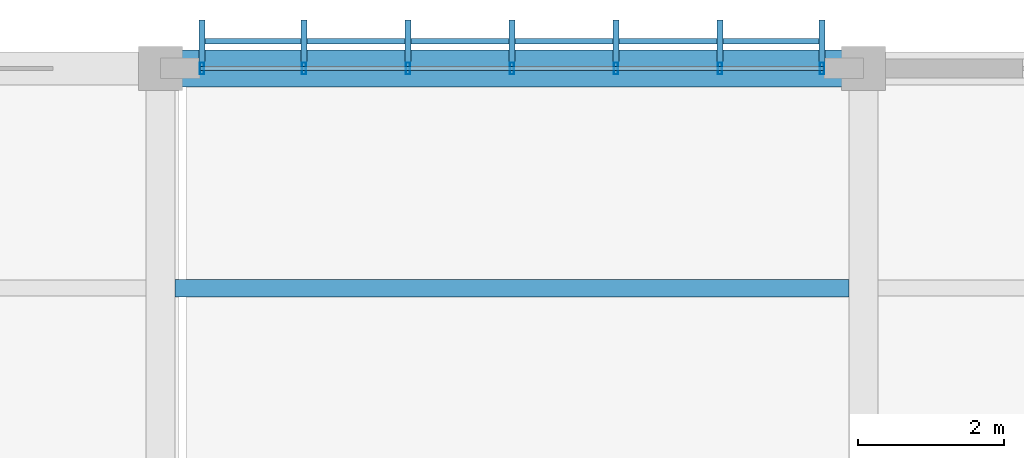
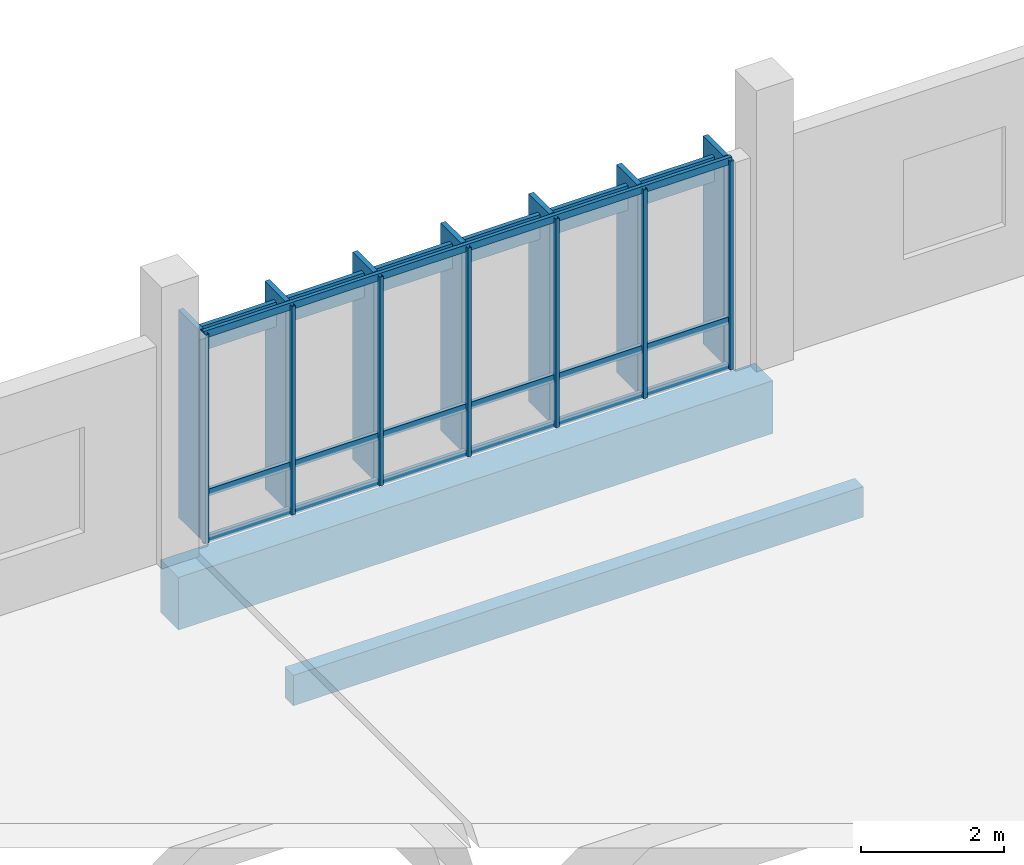
# One storey, part 121 of 177: 18 members, 2 beams, 1 element without a shape of its own.
"""IFC4 building model written with IfcOpenShell, lengths in metres."""

from ifc_helpers import new_model, si_unit, direction, frame, origin, origin_2d, place, context, subcontext, project, spatial, rectangle, hollow_rectangle, extrude, material, material_profile, profile_set, type_object, element, aggregate, save


model = new_model("IFC4")

# Units and contexts
model_context = context("Model", 3, precision=1e-05, world=origin(), true_north=direction((0.0, 1.0)))
body_context = subcontext(model_context, "Body", "Model", "MODEL_VIEW")
ifc_project = project(units=[si_unit("LENGTHUNIT", "METRE"), si_unit("AREAUNIT", "SQUARE_METRE"), si_unit("VOLUMEUNIT", "CUBIC_METRE"), si_unit("PLANEANGLEUNIT", "RADIAN"), si_unit("MASSUNIT", "GRAM", prefix="KILO")], contexts=[model_context])

# Site, building, storey
site_placement = place(None, origin())
site = spatial("IfcSite", under=ifc_project, at=site_placement, CompositionType="ELEMENT")
building_placement = place(site_placement, origin())
building = spatial("IfcBuilding", under=site, at=building_placement, Name="Chiffa Square Polytechnic", CompositionType="ELEMENT")
storey_placement = place(building_placement, frame((0.0, 0.0, 4.800048828125)))
storey = spatial("IfcBuildingStorey", under=building, at=storey_placement, Name="L01", CompositionType="ELEMENT", Elevation=4.800048828125)

# Beam
ifc_material_1 = material(Name="Concrete C40/50", Category="concrete")
ifc_material_profile_1 = material_profile(ifc_material_1, rectangle(XDim=0.5, YDim=0.89990234375, at=origin_2d()), Name="RC 500x900")
ifc_profile_set_1 = profile_set([ifc_material_profile_1], Name="Concrete C40/50")
beam_type_1 = type_object("IfcBeamType", Name="BM-RC-500X900", PredefinedType="BEAM", material=ifc_profile_set_1)
beam_1_placement = place(storey_placement, frame((48.0, 130.800048828125, -0.72998046875), z_axis=(1.0, 0.0, 0.0), x_axis=(0.0, 1.0, 0.0)))
element("IfcBeam", 1, at=beam_1_placement, inside=storey, type_object=beam_type_1, Name="Primary floor girder BM-V5-L01-X-0480-1308", PredefinedType="BEAM", context=body_context, shape_type="SweptSolid", body=[
    extrude(rectangle(XDim=0.5, YDim=0.89990234375, at=origin_2d()), origin(), (0.0, 0.0, 1.0), 9.60009765625),
])

# Curtain wall, members
ifc_material_2 = material(Name="Aluminium EN AW-6060 T66 and glulam shading", Category="wood")
curtain_wall_type = type_object("IfcCurtainWallType", Name="CW-VERT-450X440", PredefinedType="USERDEFINED", material=ifc_material_2)
curtain_wall_placement = place(storey_placement, origin())
curtain_wall = element("IfcCurtainWall", 2, at=curtain_wall_placement, inside=storey, type_object=curtain_wall_type, Name="Curtain wall CW-V5-L01-208", ObjectType="CURTAIN WALL", PredefinedType="USERDEFINED")
ifc_material_3 = material(Name="Aluminium EN AW-6060 T66", Category="aluminium")
ifc_material_profile_2 = material_profile(ifc_material_3, hollow_rectangle(XDim=0.06005859375, YDim=0.159912109375, WallThickness=0.00390625, at=origin_2d()), Name="ALU 60x160x4")
ifc_profile_set_2 = profile_set([ifc_material_profile_2], Name="Aluminium EN AW-6060 T66")
member_type_1 = type_object("IfcMemberType", Name="CWM-ALU-65X150", PredefinedType="MULLION", material=ifc_profile_set_2)
member_1_placement = place(storey_placement, frame((57.034912109375, 130.800048828125, 0.0), z_axis=(0.0, 0.0, 1.0), x_axis=(1.0, 0.0, 0.0)))
member_1 = element("IfcMember", 3, at=member_1_placement, type_object=member_type_1, Name="Curtain wall mullion CW-V5-L01-208-M00", PredefinedType="MULLION", context=body_context, shape_type="SweptSolid", body=[
    extrude(hollow_rectangle(XDim=0.06005859375, YDim=0.159912109375, WallThickness=0.00390625, at=origin_2d()), origin(), (0.0, 0.0, 1.0), 3.56494140625),
])
member_2_placement = place(storey_placement, frame((55.639892578125, 130.800048828125, 0.0), z_axis=(0.0, 0.0, 1.0), x_axis=(1.0, 0.0, 0.0)))
member_2 = element("IfcMember", 4, at=member_2_placement, type_object=member_type_1, Name="Curtain wall mullion CW-V5-L01-208-M01", PredefinedType="MULLION", context=body_context, shape_type="SweptSolid", body=[
    extrude(hollow_rectangle(XDim=0.06005859375, YDim=0.159912109375, WallThickness=0.00390625, at=origin_2d()), origin(), (0.0, 0.0, 1.0), 3.56494140625),
])
member_3_placement = place(storey_placement, frame((54.219970703125, 130.800048828125, 0.0), z_axis=(0.0, 0.0, 1.0), x_axis=(1.0, 0.0, 0.0)))
member_3 = element("IfcMember", 5, at=member_3_placement, type_object=member_type_1, Name="Curtain wall mullion CW-V5-L01-208-M02", PredefinedType="MULLION", context=body_context, shape_type="SweptSolid", body=[
    extrude(hollow_rectangle(XDim=0.06005859375, YDim=0.159912109375, WallThickness=0.00390625, at=origin_2d()), origin(), (0.0, 0.0, 1.0), 3.56494140625),
])
member_4_placement = place(storey_placement, frame((52.800048828125, 130.800048828125, 0.0), z_axis=(0.0, 0.0, 1.0), x_axis=(1.0, 0.0, 0.0)))
member_4 = element("IfcMember", 6, at=member_4_placement, type_object=member_type_1, Name="Curtain wall mullion CW-V5-L01-208-M03", PredefinedType="MULLION", context=body_context, shape_type="SweptSolid", body=[
    extrude(hollow_rectangle(XDim=0.06005859375, YDim=0.159912109375, WallThickness=0.00390625, at=origin_2d()), origin(), (0.0, 0.0, 1.0), 3.56494140625),
])
member_5_placement = place(storey_placement, frame((51.3798828125, 130.800048828125, 0.0), z_axis=(0.0, 0.0, 1.0), x_axis=(1.0, 0.0, 0.0)))
member_5 = element("IfcMember", 7, at=member_5_placement, type_object=member_type_1, Name="Curtain wall mullion CW-V5-L01-208-M04", PredefinedType="MULLION", context=body_context, shape_type="SweptSolid", body=[
    extrude(hollow_rectangle(XDim=0.06005859375, YDim=0.159912109375, WallThickness=0.00390625, at=origin_2d()), origin(), (0.0, 0.0, 1.0), 3.56494140625),
])
member_6_placement = place(storey_placement, frame((49.9599609375, 130.800048828125, 0.0), z_axis=(0.0, 0.0, 1.0), x_axis=(1.0, 0.0, 0.0)))
member_6 = element("IfcMember", 8, at=member_6_placement, type_object=member_type_1, Name="Curtain wall mullion CW-V5-L01-208-M05", PredefinedType="MULLION", context=body_context, shape_type="SweptSolid", body=[
    extrude(hollow_rectangle(XDim=0.06005859375, YDim=0.159912109375, WallThickness=0.00390625, at=origin_2d()), origin(), (0.0, 0.0, 1.0), 3.56494140625),
])
member_7_placement = place(storey_placement, frame((48.56494140625, 130.800048828125, 0.0), z_axis=(0.0, 0.0, 1.0), x_axis=(1.0, 0.0, 0.0)))
member_7 = element("IfcMember", 9, at=member_7_placement, type_object=member_type_1, Name="Curtain wall mullion CW-V5-L01-208-M06", PredefinedType="MULLION", context=body_context, shape_type="SweptSolid", body=[
    extrude(hollow_rectangle(XDim=0.06005859375, YDim=0.159912109375, WallThickness=0.00390625, at=origin_2d()), origin(), (0.0, 0.0, 1.0), 3.56494140625),
])
ifc_material_4 = material(Name="Glulam GL28h", Category="wood")
ifc_material_profile_3 = material_profile(ifc_material_4, rectangle(XDim=0.080078125, YDim=0.580078125, at=origin_2d()), Name="GL28h 80x580")
ifc_profile_set_3 = profile_set([ifc_material_profile_3], Name="Glulam GL28h")
member_type_2 = type_object("IfcMemberType", Name="CWM-GL-80X580", PredefinedType="MULLION", material=ifc_profile_set_3)
member_8_placement = place(storey_placement, frame((57.034912109375, 131.172119140625, 0.010009765625), z_axis=(0.0, 0.0, 1.0), x_axis=(-1.0, 0.0, 0.0)))
member_8 = element("IfcMember", 10, at=member_8_placement, type_object=member_type_2, Name="Exterior glulam solar fin CW-V5-L01-208-FN00", PredefinedType="MULLION", context=body_context, shape_type="SweptSolid", body=[
    extrude(rectangle(XDim=0.080078125, YDim=0.580078125, at=origin_2d()), origin(), (0.0, 0.0, 1.0), 3.544921875),
])
member_9_placement = place(storey_placement, frame((55.639892578125, 131.172119140625, 0.010009765625), z_axis=(0.0, 0.0, 1.0), x_axis=(-1.0, 0.0, 0.0)))
member_9 = element("IfcMember", 11, at=member_9_placement, type_object=member_type_2, Name="Exterior glulam solar fin CW-V5-L01-208-FN01", PredefinedType="MULLION", context=body_context, shape_type="SweptSolid", body=[
    extrude(rectangle(XDim=0.080078125, YDim=0.580078125, at=origin_2d()), origin(), (0.0, 0.0, 1.0), 3.544921875),
])
member_10_placement = place(storey_placement, frame((54.219970703125, 131.172119140625, 0.010009765625), z_axis=(0.0, 0.0, 1.0), x_axis=(-1.0, 0.0, 0.0)))
member_10 = element("IfcMember", 12, at=member_10_placement, type_object=member_type_2, Name="Exterior glulam solar fin CW-V5-L01-208-FN02", PredefinedType="MULLION", context=body_context, shape_type="SweptSolid", body=[
    extrude(rectangle(XDim=0.080078125, YDim=0.580078125, at=origin_2d()), origin(), (0.0, 0.0, 1.0), 3.544921875),
])
member_11_placement = place(storey_placement, frame((52.800048828125, 131.172119140625, 0.010009765625), z_axis=(0.0, 0.0, 1.0), x_axis=(-1.0, 0.0, 0.0)))
member_11 = element("IfcMember", 13, at=member_11_placement, type_object=member_type_2, Name="Exterior glulam solar fin CW-V5-L01-208-FN03", PredefinedType="MULLION", context=body_context, shape_type="SweptSolid", body=[
    extrude(rectangle(XDim=0.080078125, YDim=0.580078125, at=origin_2d()), origin(), (0.0, 0.0, 1.0), 3.544921875),
])
member_12_placement = place(storey_placement, frame((51.3798828125, 131.172119140625, 0.010009765625), z_axis=(0.0, 0.0, 1.0), x_axis=(-1.0, 0.0, 0.0)))
member_12 = element("IfcMember", 14, at=member_12_placement, type_object=member_type_2, Name="Exterior glulam solar fin CW-V5-L01-208-FN04", PredefinedType="MULLION", context=body_context, shape_type="SweptSolid", body=[
    extrude(rectangle(XDim=0.080078125, YDim=0.580078125, at=origin_2d()), origin(), (0.0, 0.0, 1.0), 3.544921875),
])
member_13_placement = place(storey_placement, frame((49.9599609375, 131.172119140625, 0.010009765625), z_axis=(0.0, 0.0, 1.0), x_axis=(-1.0, 0.0, 0.0)))
member_13 = element("IfcMember", 15, at=member_13_placement, type_object=member_type_2, Name="Exterior glulam solar fin CW-V5-L01-208-FN05", PredefinedType="MULLION", context=body_context, shape_type="SweptSolid", body=[
    extrude(rectangle(XDim=0.080078125, YDim=0.580078125, at=origin_2d()), origin(), (0.0, 0.0, 1.0), 3.544921875),
])
member_14_placement = place(storey_placement, frame((48.56494140625, 131.172119140625, 0.010009765625), z_axis=(0.0, 0.0, 1.0), x_axis=(-1.0, 0.0, 0.0)))
member_14 = element("IfcMember", 16, at=member_14_placement, type_object=member_type_2, Name="Exterior glulam solar fin CW-V5-L01-208-FN06", PredefinedType="MULLION", context=body_context, shape_type="SweptSolid", body=[
    extrude(rectangle(XDim=0.080078125, YDim=0.580078125, at=origin_2d()), origin(), (0.0, 0.0, 1.0), 3.544921875),
])
ifc_material_profile_4 = material_profile(ifc_material_3, hollow_rectangle(XDim=0.06005859375, YDim=0.1201171875, WallThickness=0.00390625, at=origin_2d()), Name="ALU 60x120x4")
ifc_profile_set_4 = profile_set([ifc_material_profile_4], Name="Aluminium EN AW-6060 T66")
member_type_3 = type_object("IfcMemberType", Name="CWT-ALU-65X120", PredefinedType="USERDEFINED", material=ifc_profile_set_4)
member_15_placement = place(storey_placement, frame((57.06201171875, 130.800048828125, 0.030029296875), z_axis=(-1.0, 0.0, 0.0), x_axis=(0.0, -1.0, 0.0)))
member_15 = element("IfcMember", 17, at=member_15_placement, type_object=member_type_3, Name="Curtain wall transom CW-V5-L01-208-T01", ObjectType="TRANSOM", PredefinedType="USERDEFINED", context=body_context, shape_type="SweptSolid", body=[
    extrude(hollow_rectangle(XDim=0.06005859375, YDim=0.1201171875, WallThickness=0.00390625, at=origin_2d()), origin(), (0.0, 0.0, 1.0), 8.52392578125),
])
member_16_placement = place(storey_placement, frame((57.06201171875, 130.800048828125, 0.820068359375), z_axis=(-1.0, 0.0, 0.0), x_axis=(0.0, -1.0, 0.0)))
member_16 = element("IfcMember", 18, at=member_16_placement, type_object=member_type_3, Name="Curtain wall transom CW-V5-L01-208-T02", ObjectType="TRANSOM", PredefinedType="USERDEFINED", context=body_context, shape_type="SweptSolid", body=[
    extrude(hollow_rectangle(XDim=0.06005859375, YDim=0.1201171875, WallThickness=0.00390625, at=origin_2d()), origin(), (0.0, 0.0, 1.0), 8.52392578125),
])
member_17_placement = place(storey_placement, frame((57.06201171875, 130.800048828125, 3.534912109375), z_axis=(-1.0, 0.0, 0.0), x_axis=(0.0, -1.0, 0.0)))
member_17 = element("IfcMember", 19, at=member_17_placement, type_object=member_type_3, Name="Curtain wall transom CW-V5-L01-208-T03", ObjectType="TRANSOM", PredefinedType="USERDEFINED", context=body_context, shape_type="SweptSolid", body=[
    extrude(hollow_rectangle(XDim=0.06005859375, YDim=0.1201171875, WallThickness=0.00390625, at=origin_2d()), origin(), (0.0, 0.0, 1.0), 8.52392578125),
])
ifc_material_profile_5 = material_profile(ifc_material_4, rectangle(XDim=0.070068359375, YDim=0.419921875, at=origin_2d()), Name="GL28h 70x420")
ifc_profile_set_5 = profile_set([ifc_material_profile_5], Name="Glulam GL28h")
member_type_4 = type_object("IfcMemberType", Name="CWT-GL-70X420", PredefinedType="USERDEFINED", material=ifc_profile_set_5)
member_18_placement = place(storey_placement, frame((57.034912109375, 131.172119140625, 3.18505859375), z_axis=(-1.0, 0.0, 0.0), x_axis=(0.0, -1.0, 0.0)))
member_18 = element("IfcMember", 20, at=member_18_placement, type_object=member_type_4, Name="Exterior glulam brise-soleil CW-V5-L01-208-BS01", ObjectType="TRANSOM", PredefinedType="USERDEFINED", context=body_context, shape_type="SweptSolid", body=[
    extrude(rectangle(XDim=0.070068359375, YDim=0.419921875, at=origin_2d()), origin(), (0.0, 0.0, 1.0), 8.469970703125),
])
aggregate(curtain_wall, [member_1, member_8, member_2, member_9, member_3, member_10, member_4, member_11, member_5, member_12, member_6, member_13, member_7, member_14, member_15, member_16, member_17, member_18])

# Beam
ifc_material_profile_6 = material_profile(ifc_material_4, rectangle(XDim=0.239990234375, YDim=0.52001953125, at=origin_2d()), Name="GL28h 240x520")
ifc_profile_set_6 = profile_set([ifc_material_profile_6], Name="Glulam GL28h")
beam_type_2 = type_object("IfcBeamType", Name="JST-GL-240X520", PredefinedType="JOIST", material=ifc_profile_set_6)
beam_2_placement = place(storey_placement, frame((48.197998046875, 127.800048828125, -0.5400390625), z_axis=(1.0, 0.0, 0.0), x_axis=(0.0, 1.0, 0.0)))
element("IfcBeam", 21, at=beam_2_placement, inside=storey, type_object=beam_type_2, Name="Secondary floor joist JST-V5-L01-0480-1278", PredefinedType="JOIST", context=body_context, shape_type="SweptSolid", body=[
    extrude(rectangle(XDim=0.239990234375, YDim=0.52001953125, at=origin_2d()), origin(), (0.0, 0.0, 1.0), 9.2041015625),
])

save(model, "model.ifc")
